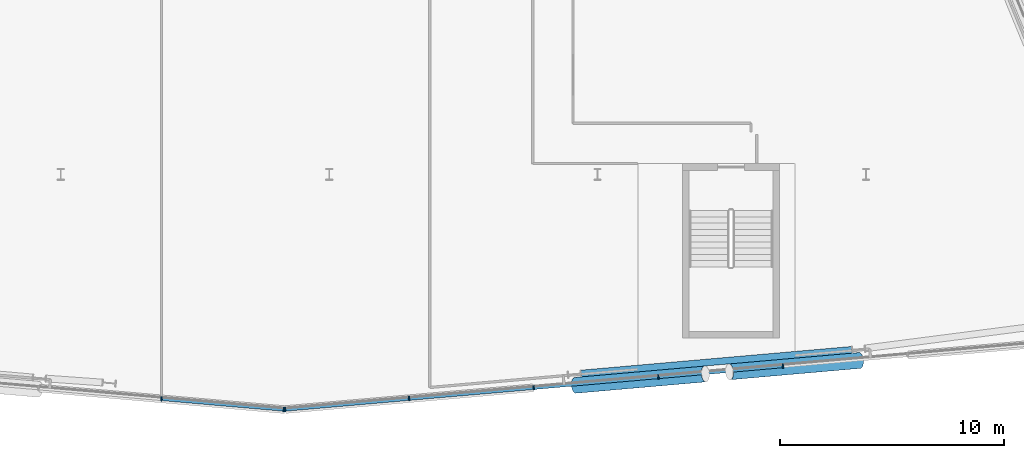
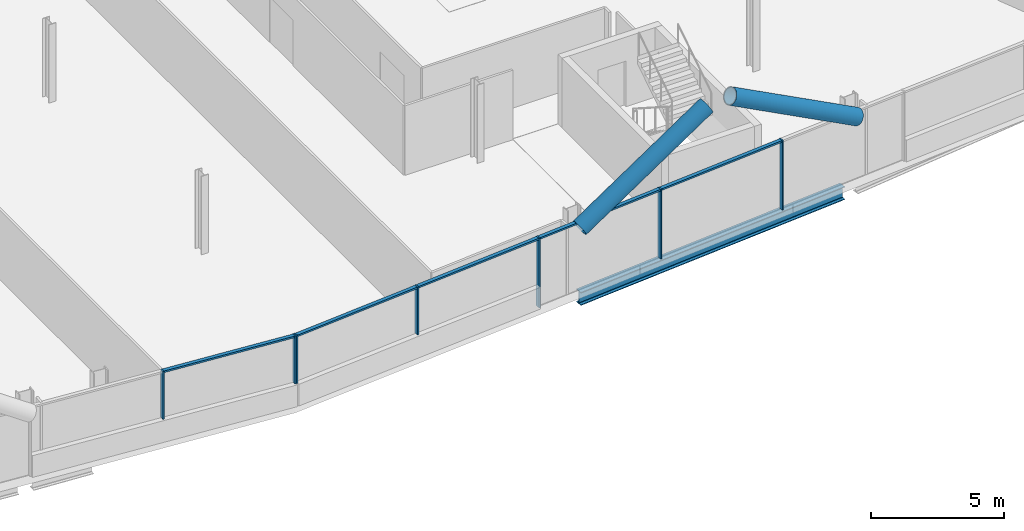
# One storey, part 8 of 26: 14 members, 1 beam, 2 elements without a shape of their own.
"""IFC4 building model written with IfcOpenShell, lengths in metres."""

from ifc_helpers import new_model, si_unit, direction, frame, origin, origin_2d, place, context, subcontext, project, spatial, rectangle, hollow_circle, i_section, extrude, material, material_profile, profile_set, type_object, element, aggregate, save


model = new_model("IFC4")

# Units and contexts
model_context = context("Model", 3, precision=1e-05, world=origin(), true_north=direction((0.0, 1.0)))
body_context = subcontext(model_context, "Body", "Model", "MODEL_VIEW")
ifc_project = project(units=[si_unit("LENGTHUNIT", "METRE"), si_unit("AREAUNIT", "SQUARE_METRE"), si_unit("VOLUMEUNIT", "CUBIC_METRE"), si_unit("PLANEANGLEUNIT", "RADIAN"), si_unit("MASSUNIT", "GRAM", prefix="KILO")], contexts=[model_context])

# Site, building, storey
site_placement = place(None, origin())
site = spatial("IfcSite", under=ifc_project, at=site_placement, CompositionType="ELEMENT")
building_placement = place(site_placement, origin())
building = spatial("IfcBuilding", under=site, at=building_placement, Name="Wharfspan Tower", CompositionType="ELEMENT")
storey_placement = place(building_placement, frame((0.0, 0.0, 184.300049)))
storey = spatial("IfcBuildingStorey", under=building, at=storey_placement, Name="L45", CompositionType="ELEMENT", Elevation=184.300049)

# Beam
ifc_material_1 = material(Name="Steel S355J2", Category="steel")
ifc_material_profile_1 = material_profile(ifc_material_1, i_section(OverallWidth=0.300049, OverallDepth=0.600098, WebThickness=0.015381, FlangeThickness=0.030029, FilletRadius=0.0271, at=origin_2d()))
ifc_profile_set_1 = profile_set([ifc_material_profile_1], Name="Steel S355J2")
beam_type = type_object("IfcBeamType", Name="Edge beam HEB 600", PredefinedType="SPANDREL", material=ifc_profile_set_1)
beam_placement = place(storey_placement, frame((59.265625, 2.600342, -0.699951), z_axis=(0.996195, 0.087155, 0.0), x_axis=(-0.087155, 0.996195, 0.0)))
element("IfcBeam", 1, at=beam_placement, inside=storey, type_object=beam_type, Name="Edge beam S2 L45 PS2.1 to PS2.2", PredefinedType="SPANDREL", context=body_context, shape_type="SweptSolid", body=[
    extrude(i_section(OverallWidth=0.300049, OverallDepth=0.600098, WebThickness=0.015381, FlangeThickness=0.030029, FilletRadius=0.0271, at=origin_2d()), origin(), (0.0, 0.0, 1.0), 12.137695),
])

# Curtain wall, members
ifc_material_2 = material(Name="Aluminium 6063-T6", Category="aluminium")
curtain_wall_type = type_object("IfcCurtainWallType", Name="CURTAIN WALL FACETED FRONT", PredefinedType="NOTDEFINED", material=ifc_material_2)
curtain_wall_1_placement = place(storey_placement, origin())
curtain_wall_1 = element("IfcCurtainWall", 2, at=curtain_wall_1_placement, inside=storey, type_object=curtain_wall_type, Name="Curtain wall S1", PredefinedType="NOTDEFINED")
ifc_material_profile_2 = material_profile(ifc_material_2, rectangle(XDim=0.199951, YDim=0.060059, at=origin_2d()))
ifc_profile_set_2 = profile_set([ifc_material_profile_2], Name="Aluminium 6063-T6")
member_type_1 = type_object("IfcMemberType", Name="MULLION FACETED FRONT 60x200", PredefinedType="MULLION", material=ifc_profile_set_2)
member_1_placement = place(storey_placement, frame((40.5, 1.469238, 1.0), z_axis=(0.0, 0.0, 1.0), x_axis=(0.087156, 0.996198, 0.0)))
member_1 = element("IfcMember", 3, at=member_1_placement, type_object=member_type_1, Name="Curtain wall S1 mullion 6", PredefinedType="MULLION", context=body_context, shape_type="SweptSolid", body=[
    extrude(rectangle(XDim=0.199951, YDim=0.060059, at=origin_2d()), origin(), (0.0, 0.0, 1.0), 2.199951),
])
member_2_placement = place(storey_placement, frame((45.970215, 0.990479, 1.0), z_axis=(0.0, 0.0, 1.0), x_axis=(0.087156, 0.996198, 0.0)))
member_2 = element("IfcMember", 4, at=member_2_placement, type_object=member_type_1, Name="Curtain wall S1 mullion 7", PredefinedType="MULLION", context=body_context, shape_type="SweptSolid", body=[
    extrude(rectangle(XDim=0.199951, YDim=0.060059, at=origin_2d()), origin(), (0.0, 0.0, 1.0), 2.199951),
])

curtain_wall_2_placement = place(storey_placement, origin())
curtain_wall_2 = element("IfcCurtainWall", 5, at=curtain_wall_2_placement, inside=storey, type_object=curtain_wall_type, Name="Curtain wall S2", PredefinedType="NOTDEFINED")
member_3_placement = place(storey_placement, frame((46.029785, 0.990479, 1.0), z_axis=(0.0, 0.0, 1.0), x_axis=(-0.087156, 0.996198, 0.0)))
member_3 = element("IfcMember", 6, at=member_3_placement, type_object=member_type_1, Name="Curtain wall S2 mullion 1", PredefinedType="MULLION", context=body_context, shape_type="SweptSolid", body=[
    extrude(rectangle(XDim=0.199951, YDim=0.060059, at=origin_2d()), origin(), (0.0, 0.0, 1.0), 2.199951),
])
member_4_placement = place(storey_placement, frame((51.571533, 1.475342, 1.0), z_axis=(0.0, 0.0, 1.0), x_axis=(-0.087156, 0.996198, 0.0)))
member_4 = element("IfcMember", 7, at=member_4_placement, type_object=member_type_1, Name="Curtain wall S2 mullion 2", PredefinedType="MULLION", context=body_context, shape_type="SweptSolid", body=[
    extrude(rectangle(XDim=0.199951, YDim=0.060059, at=origin_2d()), origin(), (0.0, 0.0, 1.0), 2.199951),
])
member_5_placement = place(storey_placement, frame((57.142822, 1.962891, 0.0), z_axis=(0.0, 0.0, 1.0), x_axis=(-0.087156, 0.996198, 0.0)))
member_5 = element("IfcMember", 8, at=member_5_placement, type_object=member_type_1, Name="Curtain wall S2 mullion 3", PredefinedType="MULLION", context=body_context, shape_type="SweptSolid", body=[
    extrude(rectangle(XDim=0.199951, YDim=0.060059, at=origin_2d()), origin(), (0.0, 0.0, 1.0), 3.199951),
])
member_6_placement = place(storey_placement, frame((62.714355, 2.450195, 0.0), z_axis=(0.0, 0.0, 1.0), x_axis=(-0.087156, 0.996198, 0.0)))
member_6 = element("IfcMember", 9, at=member_6_placement, type_object=member_type_1, Name="Curtain wall S2 mullion 4", PredefinedType="MULLION", context=body_context, shape_type="SweptSolid", body=[
    extrude(rectangle(XDim=0.199951, YDim=0.060059, at=origin_2d()), origin(), (0.0, 0.0, 1.0), 3.199951),
])
member_7_placement = place(storey_placement, frame((68.285645, 2.937744, 0.0), z_axis=(0.0, 0.0, 1.0), x_axis=(-0.087156, 0.996198, 0.0)))
member_7 = element("IfcMember", 10, at=member_7_placement, type_object=member_type_1, Name="Curtain wall S2 mullion 5", PredefinedType="MULLION", context=body_context, shape_type="SweptSolid", body=[
    extrude(rectangle(XDim=0.199951, YDim=0.060059, at=origin_2d()), origin(), (0.0, 0.0, 1.0), 3.199951),
])

# Members
ifc_material_3 = material(Name="Steel S460NH", Category="steel")
ifc_material_profile_3 = material_profile(ifc_material_3, hollow_circle(Radius=0.355469, WallThickness=0.035889, at=origin_2d()))
ifc_profile_set_3 = profile_set([ifc_material_profile_3], Name="Steel S460NH")
member_type_2 = type_object("IfcMemberType", Name="Mega brace CHS 711x36", PredefinedType="BRACE", material=ifc_profile_set_3)
member_8_placement = place(storey_placement, frame((59.004883, 2.070557, 2.899902), z_axis=(0.867427, 0.07588, 0.491745), x_axis=(-0.087145, 0.996197, 1e-06)))
element("IfcMember", 11, at=member_8_placement, inside=storey, type_object=member_type_2, Name="Mega brace S2 L46 part 1", PredefinedType="BRACE", context=body_context, shape_type="SweptSolid", body=[
    extrude(hollow_circle(Radius=0.355469, WallThickness=0.035889, at=origin_2d()), origin(), (0.0, 0.0, 1.0), 6.695557),
])
member_9_placement = place(storey_placement, frame((71.706055, 3.181641, 2.899902), z_axis=(-0.867436, -0.075878, 0.491729), x_axis=(0.08714, -0.996196, -2e-06)))
element("IfcMember", 12, at=member_9_placement, inside=storey, type_object=member_type_2, Name="Mega brace S2 L46 part 3", PredefinedType="BRACE", context=body_context, shape_type="SweptSolid", body=[
    extrude(hollow_circle(Radius=0.355469, WallThickness=0.035889, at=origin_2d()), origin(), (0.0, 0.0, 1.0), 6.695801),
])

# Member
ifc_material_profile_4 = material_profile(ifc_material_2, rectangle(XDim=0.159912, YDim=0.080078, at=origin_2d()))
ifc_profile_set_4 = profile_set([ifc_material_profile_4], Name="Aluminium 6063-T6")
member_type_3 = type_object("IfcMemberType", Name="TRANSOM FACETED FRONT 80x160", PredefinedType="USERDEFINED", material=ifc_profile_set_4)
member_10_placement = place(storey_placement, frame((40.529785, 1.466553, 3.159912), z_axis=(0.996194, -0.087163, 0.0), x_axis=(0.087163, 0.996194, 0.0)))
member_10 = element("IfcMember", 13, at=member_10_placement, type_object=member_type_3, Name="Curtain wall S1 transom 6", ObjectType="TRANSOM", PredefinedType="USERDEFINED", context=body_context, shape_type="SweptSolid", body=[
    extrude(rectangle(XDim=0.159912, YDim=0.080078, at=origin_2d()), origin(), (0.0, 0.0, 1.0), 5.431152),
])

aggregate(curtain_wall_1, [member_1, member_2, member_10])

member_11_placement = place(storey_placement, frame((46.059814, 0.993164, 3.159912), z_axis=(0.996196, 0.087139, 0.0), x_axis=(-0.087139, 0.996196, 0.0)))
member_11 = element("IfcMember", 14, at=member_11_placement, type_object=member_type_3, Name="Curtain wall S2 transom 1", ObjectType="TRANSOM", PredefinedType="USERDEFINED", context=body_context, shape_type="SweptSolid", body=[
    extrude(rectangle(XDim=0.159912, YDim=0.080078, at=origin_2d()), origin(), (0.0, 0.0, 1.0), 5.502686),
])

member_12_placement = place(storey_placement, frame((51.601318, 1.478027, 3.159912), z_axis=(0.996195, 0.087149, 0.0), x_axis=(-0.087149, 0.996195, 0.0)))
member_12 = element("IfcMember", 15, at=member_12_placement, type_object=member_type_3, Name="Curtain wall S2 transom 2", ObjectType="TRANSOM", PredefinedType="USERDEFINED", context=body_context, shape_type="SweptSolid", body=[
    extrude(rectangle(XDim=0.159912, YDim=0.080078, at=origin_2d()), origin(), (0.0, 0.0, 1.0), 5.532715),
])

member_13_placement = place(storey_placement, frame((57.172852, 1.965332, 3.159912), z_axis=(0.996191, 0.087197, 0.0), x_axis=(-0.087197, 0.996191, 0.0)))
member_13 = element("IfcMember", 16, at=member_13_placement, type_object=member_type_3, Name="Curtain wall S2 transom 3", ObjectType="TRANSOM", PredefinedType="USERDEFINED", context=body_context, shape_type="SweptSolid", body=[
    extrude(rectangle(XDim=0.159912, YDim=0.080078, at=origin_2d()), origin(), (0.0, 0.0, 1.0), 5.532471),
])

member_14_placement = place(storey_placement, frame((62.744141, 2.452881, 3.159912), z_axis=(0.996195, 0.087149, 0.0), x_axis=(-0.087149, 0.996195, 0.0)))
member_14 = element("IfcMember", 17, at=member_14_placement, type_object=member_type_3, Name="Curtain wall S2 transom 4", ObjectType="TRANSOM", PredefinedType="USERDEFINED", context=body_context, shape_type="SweptSolid", body=[
    extrude(rectangle(XDim=0.159912, YDim=0.080078, at=origin_2d()), origin(), (0.0, 0.0, 1.0), 5.532715),
])

aggregate(curtain_wall_2, [member_3, member_4, member_5, member_6, member_7, member_11, member_12, member_13, member_14])

save(model, "model.ifc")
